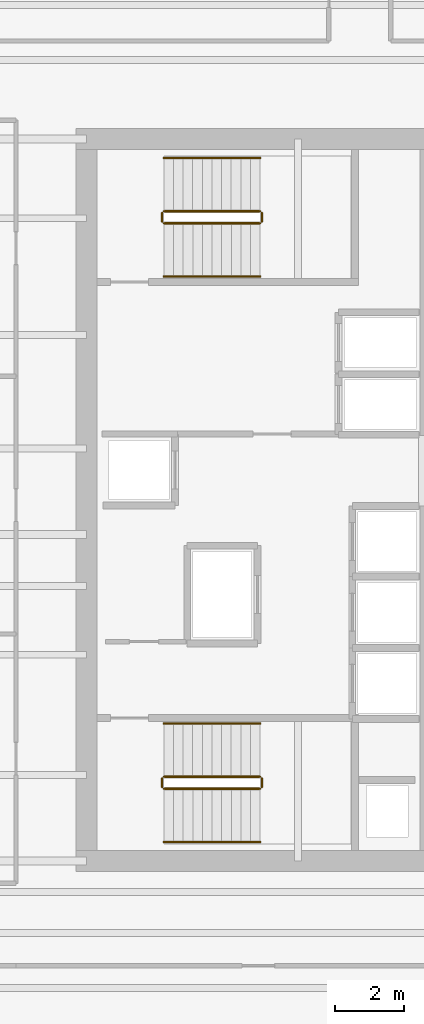
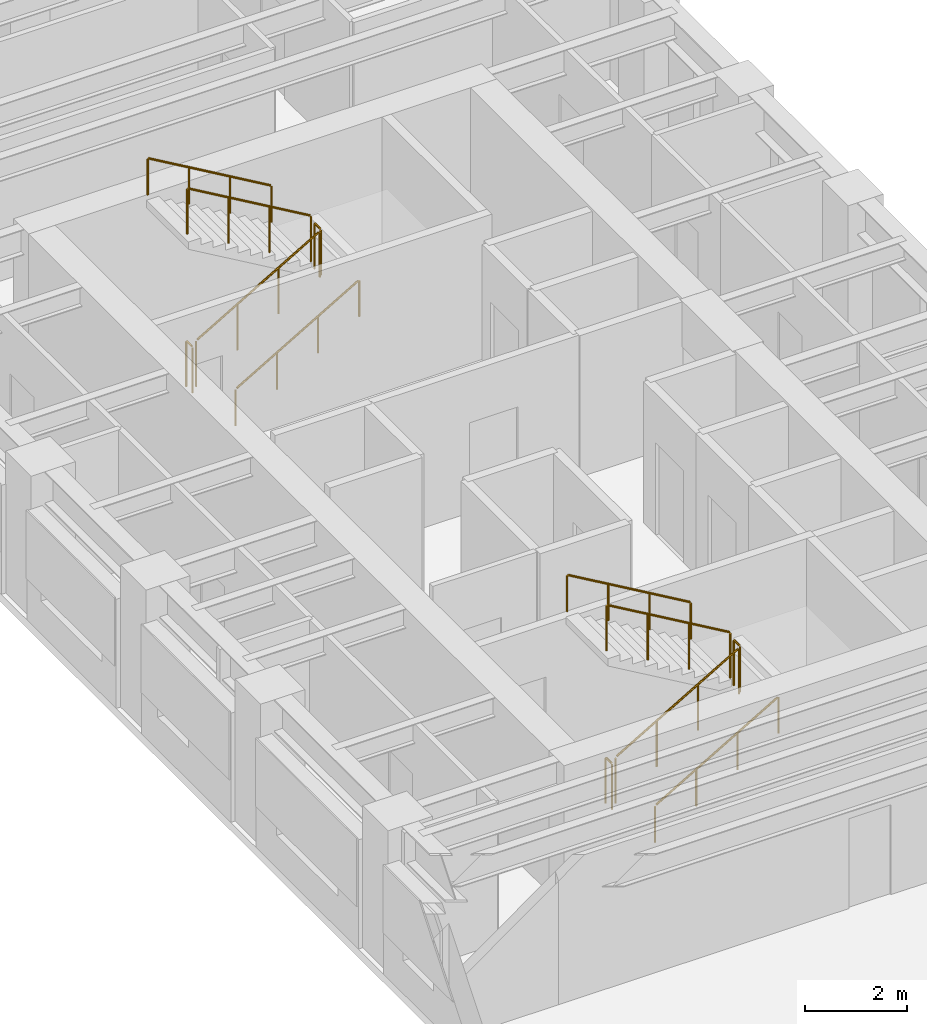
# One storey, part 11 of 12: 12 railings.
"""IFC4 building model written with IfcOpenShell, lengths in metres."""

from ifc_helpers import new_model, si_unit, direction, frame, origin, origin_2d, place, context, subcontext, project, spatial, circle, extrude, source, transform, mapped, material, layer, layer_set, type_object, element, save


model = new_model("IFC4")

# Units and contexts
model_context = context("Model", 3, precision=1e-05, world=origin(), true_north=direction((0.0, 1.0)))
body_context = subcontext(model_context, "Body", "Model", "MODEL_VIEW")
ifc_project = project(units=[si_unit("LENGTHUNIT", "METRE"), si_unit("AREAUNIT", "SQUARE_METRE"), si_unit("VOLUMEUNIT", "CUBIC_METRE"), si_unit("PLANEANGLEUNIT", "RADIAN"), si_unit("MASSUNIT", "GRAM", prefix="KILO")], contexts=[model_context])

# Site, building, storey
site_placement = place(None, origin())
site = spatial("IfcSite", under=ifc_project, at=site_placement, CompositionType="ELEMENT")
building_placement = place(site_placement, origin())
building = spatial("IfcBuilding", under=site, at=building_placement, Name="Kharzan Plaza Tower", CompositionType="ELEMENT")
storey_placement = place(building_placement, frame((0.0, 0.0, 146.699951171875)))
storey = spatial("IfcBuildingStorey", under=building, at=storey_placement, Name="L39", CompositionType="ELEMENT", Elevation=146.699951171875)

# Railings
ifc_material_1 = material(Name="Painted Galvanized Architectural Steel", Category="steel")
ifc_layer_1 = layer(ifc_material_1, 0.074951171875)
ifc_layer_set_1 = layer_set([ifc_layer_1], Name="Painted Galvanized Architectural Steel")
railing_type_1 = type_object("IfcRailingType", Name="RL-GUARD-1120", PredefinedType="BALUSTRADE", material=ifc_layer_set_1)
shared_shape_1 = source(origin(), body_context, "Body", "SweptSolid", [
    extrude(circle(Radius=0.02392578125, at=origin_2d()), frame((0.0, 0.0263671875, 1.09619140625), z_axis=(0.0, 1.0, 0.0), x_axis=(-1.0, 0.0, 0.0)), (0.0, 0.0, 1.0), 0.197021484375),
    extrude(circle(Radius=0.02099609375, at=origin_2d()), origin(), (0.0, 0.0, 1.0), 1.072021484375),
    extrude(circle(Radius=0.02099609375, at=origin_2d()), frame((0.0, 0.25, 0.0)), (0.0, 0.0, 1.0), 1.072021484375),
])
for number, where, name in (
    (1, (9.60009765625, 10.64990234375, 1.800048828125), "L39 ST-1 stair guard 2"),
    (2, (6.699951171875, 10.64990234375, 0.0), "L39 ST-1 stair guard 4"),
    (3, (9.60009765625, 27.10009765625, 1.800048828125), "L39 ST-2 stair guard 2"),
    (4, (6.699951171875, 27.10009765625, 0.0), "L39 ST-2 stair guard 4"),
):
    element("IfcRailing", number, at=place(storey_placement, frame(where)), inside=storey, type_object=railing_type_1, Name=name, PredefinedType="BALUSTRADE", context=body_context, shape_type="MappedRepresentation", body=[
        mapped(shared_shape_1, transform((0.0, 0.0, 0.0), x_axis=(1.0, 0.0, 0.0), y_axis=(0.0, 1.0, 0.0), z_axis=(0.0, 0.0, 1.0))),
    ])
shared_shape_2 = source(origin(), body_context, "Body", "SweptSolid", [
    extrude(circle(Radius=0.02392578125, at=origin_2d()), frame((0.02294921875, 0.0, 1.109375), z_axis=(0.863360870873, 0.0, 0.504586966384), x_axis=(0.0, 1.0, 0.0)), (0.0, 0.0, 1.0), 3.190185546875),
    extrude(circle(Radius=0.02099609375, at=origin_2d()), origin(), (0.0, 0.0, 1.0), 1.072021484375),
    extrude(circle(Radius=0.02099609375, at=origin_2d()), frame((0.933349609375, 0.0, 0.54541015625)), (0.0, 0.0, 1.0), 1.072021484375),
    extrude(circle(Radius=0.02099609375, at=origin_2d()), frame((1.86669921875, 0.0, 1.091064453125)), (0.0, 0.0, 1.0), 1.072021484375),
    extrude(circle(Radius=0.02099609375, at=origin_2d()), frame((2.800048828125, 0.0, 1.636474609375)), (0.0, 0.0, 1.0), 1.072021484375),
])
for number, where, name in (
    (5, (6.75, 10.60009765625, 0.16357421875), "L39 ST-1 stair guard 1"),
    (6, (6.75, 27.050048828125, 0.16357421875), "L39 ST-2 stair guard 1"),
):
    element("IfcRailing", number, at=place(storey_placement, frame(where)), inside=storey, type_object=railing_type_1, Name=name, PredefinedType="BALUSTRADE", context=body_context, shape_type="MappedRepresentation", body=[
        mapped(shared_shape_2, transform((0.0, 0.0, 0.0), x_axis=(1.0, 0.0, 0.0), y_axis=(0.0, 1.0, 0.0), z_axis=(0.0, 0.0, 1.0))),
    ])
shared_shape_3 = source(origin(), body_context, "Body", "SweptSolid", [
    extrude(circle(Radius=0.02392578125, at=origin_2d()), frame((-0.02294921875, 0.0, 1.109375), z_axis=(-0.863360870873, 0.0, 0.504586966384), x_axis=(0.0, -1.0, 0.0)), (0.0, 0.0, 1.0), 3.190185546875),
    extrude(circle(Radius=0.02099609375, at=origin_2d()), origin(), (0.0, 0.0, 1.0), 1.072021484375),
    extrude(circle(Radius=0.02099609375, at=origin_2d()), frame((-0.933349609375, 0.0, 0.54541015625)), (0.0, 0.0, 1.0), 1.072021484375),
    extrude(circle(Radius=0.02099609375, at=origin_2d()), frame((-1.86669921875, 0.0, 1.091064453125)), (0.0, 0.0, 1.0), 1.072021484375),
    extrude(circle(Radius=0.02099609375, at=origin_2d()), frame((-2.800048828125, 0.0, 1.636474609375)), (0.0, 0.0, 1.0), 1.072021484375),
])
for number, where, name in (
    (7, (9.550048828125, 10.949951171875, 1.963623046875), "L39 ST-1 stair guard 3"),
    (8, (9.550048828125, 27.39990234375, 1.963623046875), "L39 ST-2 stair guard 3"),
):
    element("IfcRailing", number, at=place(storey_placement, frame(where)), inside=storey, type_object=railing_type_1, Name=name, PredefinedType="BALUSTRADE", context=body_context, shape_type="MappedRepresentation", body=[
        mapped(shared_shape_3, transform((0.0, 0.0, 0.0), x_axis=(1.0, 0.0, 0.0), y_axis=(0.0, 1.0, 0.0), z_axis=(0.0, 0.0, 1.0))),
    ])
ifc_material_2 = material(Name="Brushed Stainless Steel", Category="steel")
ifc_layer_2 = layer(ifc_material_2, 0.050048828125)
ifc_layer_set_2 = layer_set([ifc_layer_2], Name="Brushed Stainless Steel")
railing_type_2 = type_object("IfcRailingType", Name="RL-STAIR-HR920", PredefinedType="HANDRAIL", material=ifc_layer_set_2)
shared_shape_4 = source(origin(), body_context, "Body", "SweptSolid", [
    extrude(circle(Radius=0.02392578125, at=origin_2d()), frame((0.02294921875, 0.0, 0.88916015625), z_axis=(0.863360870873, 0.0, 0.504586966384), x_axis=(0.0, 1.0, 0.0)), (0.0, 0.0, 1.0), 3.190185546875),
    extrude(circle(Radius=0.02099609375, at=origin_2d()), origin(), (0.0, 0.0, 1.0), 0.851806640625),
    extrude(circle(Radius=0.02099609375, at=origin_2d()), frame((0.933349609375, 0.0, 0.54541015625)), (0.0, 0.0, 1.0), 0.851806640625),
    extrude(circle(Radius=0.02099609375, at=origin_2d()), frame((1.86669921875, 0.0, 1.091064453125)), (0.0, 0.0, 1.0), 0.851806640625),
    extrude(circle(Radius=0.02099609375, at=origin_2d()), frame((2.800048828125, 0.0, 1.636474609375)), (0.0, 0.0, 1.0), 0.851806640625),
])
for number, where, name in (
    (9, (6.75, 9.050048828125, 0.16357421875), "L39 ST-1 stair handrail 1"),
    (10, (6.75, 25.5, 0.16357421875), "L39 ST-2 stair handrail 1"),
):
    element("IfcRailing", number, at=place(storey_placement, frame(where)), inside=storey, type_object=railing_type_2, Name=name, PredefinedType="HANDRAIL", context=body_context, shape_type="MappedRepresentation", body=[
        mapped(shared_shape_4, transform((0.0, 0.0, 0.0), x_axis=(1.0, 0.0, 0.0), y_axis=(0.0, 1.0, 0.0), z_axis=(0.0, 0.0, 1.0))),
    ])
shared_shape_5 = source(origin(), body_context, "Body", "SweptSolid", [
    extrude(circle(Radius=0.02392578125, at=origin_2d()), frame((-0.02294921875, 0.0, 0.88916015625), z_axis=(-0.863360870873, 0.0, 0.504586966384), x_axis=(0.0, -1.0, 0.0)), (0.0, 0.0, 1.0), 3.190185546875),
    extrude(circle(Radius=0.02099609375, at=origin_2d()), origin(), (0.0, 0.0, 1.0), 0.851806640625),
    extrude(circle(Radius=0.02099609375, at=origin_2d()), frame((-0.933349609375, 0.0, 0.54541015625)), (0.0, 0.0, 1.0), 0.851806640625),
    extrude(circle(Radius=0.02099609375, at=origin_2d()), frame((-1.86669921875, 0.0, 1.091064453125)), (0.0, 0.0, 1.0), 0.851806640625),
    extrude(circle(Radius=0.02099609375, at=origin_2d()), frame((-2.800048828125, 0.0, 1.636474609375)), (0.0, 0.0, 1.0), 0.851806640625),
])
for number, where, name in (
    (11, (9.550048828125, 12.5, 1.963623046875), "L39 ST-1 stair handrail 2"),
    (12, (9.550048828125, 28.949951171875, 1.963623046875), "L39 ST-2 stair handrail 2"),
):
    element("IfcRailing", number, at=place(storey_placement, frame(where)), inside=storey, type_object=railing_type_2, Name=name, PredefinedType="HANDRAIL", context=body_context, shape_type="MappedRepresentation", body=[
        mapped(shared_shape_5, transform((0.0, 0.0, 0.0), x_axis=(1.0, 0.0, 0.0), y_axis=(0.0, 1.0, 0.0), z_axis=(0.0, 0.0, 1.0))),
    ])

save(model, "model.ifc")
